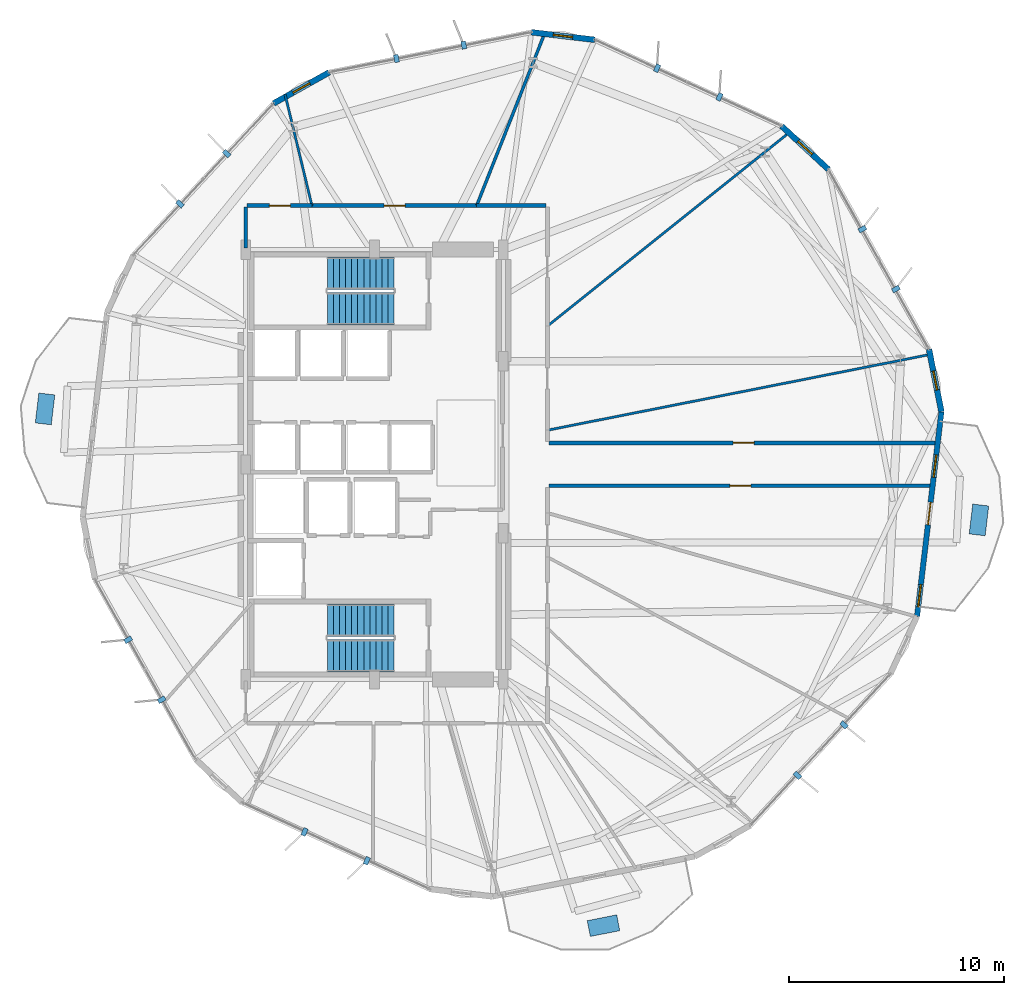
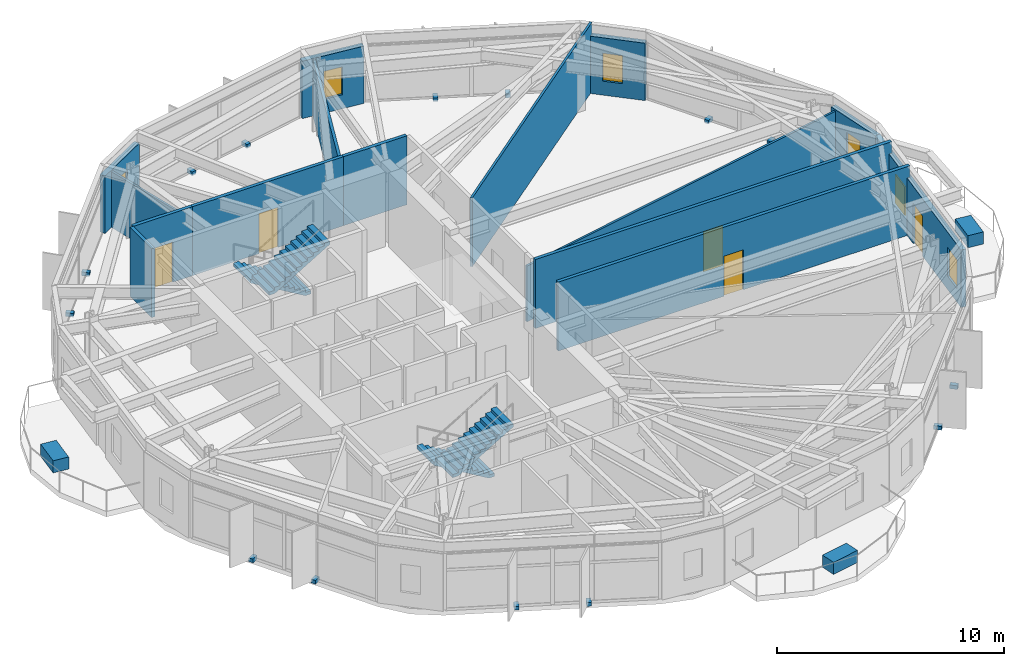
# One storey, part 19 of 22: 17 discrete accessories, 15 walls, 6 windows, 5 doors, 4 stair flights, 11 openings, 2 elements without a shape of their own.
"""IFC4 building model written with IfcOpenShell, lengths in metres."""

from ifc_helpers import new_model, si_unit, direction, frame, frame_2d, origin, origin_2d, place, context, subcontext, project, spatial, polyline, rectangle, outline, extrude, material, layer, layer_set, type_object, element, fill, aggregate, save


model = new_model("IFC4")

# Units and contexts
model_context = context("Model", 3, precision=1e-05, world=origin(), true_north=direction((0.0, 1.0)))
body_context = subcontext(model_context, "Body", "Model", "MODEL_VIEW")
ifc_project = project(units=[si_unit("LENGTHUNIT", "METRE"), si_unit("AREAUNIT", "SQUARE_METRE"), si_unit("VOLUMEUNIT", "CUBIC_METRE"), si_unit("PLANEANGLEUNIT", "RADIAN"), si_unit("MASSUNIT", "GRAM", prefix="KILO")], contexts=[model_context])

# Site, building, storey
site_placement = place(None, origin())
site = spatial("IfcSite", under=ifc_project, at=site_placement, CompositionType="ELEMENT")
building_placement = place(site_placement, origin())
building = spatial("IfcBuilding", under=site, at=building_placement, Name="Soratama Intermodal Tower", CompositionType="ELEMENT")
storey_placement = place(building_placement, frame((0.0, 0.0, 70.60009765625)))
storey = spatial("IfcBuildingStorey", under=building, at=storey_placement, Name="L16", CompositionType="ELEMENT", Elevation=70.60009765625)

# Wall, openings, door, windows
ifc_material_1 = material(Name="Concrete f'c 42 MPa", Category="concrete")
ifc_layer_1 = layer(ifc_material_1, 0.25)
ifc_layer_set_1 = layer_set([ifc_layer_1], Name="Concrete f'c 42 MPa")
wall_type_1 = type_object("IfcWallType", Name="EW-BAL-250", PredefinedType="SOLIDWALL", material=ifc_layer_set_1)
wall_1_placement = place(storey_placement, frame((63.854248046875, 17.9296875, 0.0), z_axis=(0.0, 0.0, 1.0), x_axis=(0.118050916003, 0.993007543391, 0.0)))
wall_1 = element("IfcWall", 1, at=wall_1_placement, inside=storey, type_object=wall_type_1, Name="L16 Terrace Wall F10", PredefinedType="SOLIDWALL", context=body_context, shape_type="SweptSolid", body=[
    extrude(rectangle(XDim=9.58984375, YDim=0.25, at=frame_2d((4.794921875, 0.0))), origin(), (0.0, 0.0, 1.0), 3.078857421875),
])
opening_1_placement = place(wall_1_placement, frame((4.294921875, 0.0, 0.0)))
opening_1 = element("IfcOpeningElement", 2, at=opening_1_placement, cuts=wall_1, Name="Opening ED-5", PredefinedType="OPENING", context=body_context, shape_type="SweptSolid", body=[
    extrude(rectangle(XDim=1.050048828125, YDim=2.14990234375, at=frame_2d((0.52490234375, 1.074951171875))), frame((0.0, 0.135009765625, 0.0), z_axis=(0.0, -1.0, 0.0), x_axis=(1.0, 0.0, 0.0)), (0.0, 0.0, 1.0), 0.27001953125),
])
opening_2_placement = place(wall_1_placement, frame((0.43994140625, 0.0, 0.719970703125)))
opening_2 = element("IfcOpeningElement", 3, at=opening_2_placement, cuts=wall_1, Name="Opening WN-5", PredefinedType="OPENING", context=body_context, shape_type="SweptSolid", body=[
    extrude(rectangle(XDim=1.050048828125, YDim=1.550048828125, at=frame_2d((0.52490234375, 0.77490234375))), frame((0.0, 0.135009765625, 0.0), z_axis=(0.0, -1.0, 0.0), x_axis=(1.0, 0.0, 0.0)), (0.0, 0.0, 1.0), 0.27001953125),
])
opening_3_placement = place(wall_1_placement, frame((6.513671875, 0.0, 0.719970703125)))
opening_3 = element("IfcOpeningElement", 4, at=opening_3_placement, cuts=wall_1, Name="Opening WN-5", PredefinedType="OPENING", context=body_context, shape_type="SweptSolid", body=[
    extrude(rectangle(XDim=1.050048828125, YDim=1.550048828125, at=frame_2d((0.52490234375, 0.77490234375))), frame((0.0, 0.135009765625, 0.0), z_axis=(0.0, -1.0, 0.0), x_axis=(1.0, 0.0, 0.0)), (0.0, 0.0, 1.0), 0.27001953125),
])
ifc_material_2 = material(Name="Double-glazed aluminium door", Category="aluminium")
door_type_1 = type_object("IfcDoorType", Name="DR-BAL-1050", OperationType="NOTDEFINED", PredefinedType="DOOR", material=ifc_material_2)
door_1_placement = place(opening_1_placement, origin())
door_1 = element("IfcDoor", 5, at=door_1_placement, inside=storey, type_object=door_type_1, Name="L16 Balcony Door F10", OperationType="SINGLE_SWING_RIGHT", OverallHeight=2.14990234375, OverallWidth=1.050048828125, PredefinedType="DOOR", context=body_context, shape_type="SweptSolid", body=[
    extrude(rectangle(XDim=1.050048828125, YDim=2.14990234375, at=frame_2d((0.52490234375, 1.074951171875))), frame((0.0, 0.02490234375, 0.0), z_axis=(0.0, -1.0, 0.0), x_axis=(1.0, 0.0, 0.0)), (0.0, 0.0, 1.0), 0.050048828125),
])
fill(opening_1, door_1)
ifc_material_3 = material(Name="Double-glazed aluminium window", Category="aluminium")
window_type_1 = type_object("IfcWindowType", Name="WN-FAC-1050", PartitioningType="SINGLE_PANEL", PredefinedType="WINDOW", material=ifc_material_3)
window_1_placement = place(opening_2_placement, origin())
window_1 = element("IfcWindow", 6, at=window_1_placement, inside=storey, type_object=window_type_1, Name="L16 Window A F10", OverallHeight=1.550048828125, OverallWidth=1.050048828125, PartitioningType="SINGLE_PANEL", PredefinedType="WINDOW", context=body_context, shape_type="SweptSolid", body=[
    extrude(rectangle(XDim=1.050048828125, YDim=1.550048828125, at=frame_2d((0.52490234375, 0.77490234375))), frame((0.0, 0.030029296875, 0.0), z_axis=(0.0, -1.0, 0.0), x_axis=(1.0, 0.0, 0.0)), (0.0, 0.0, 1.0), 0.06005859375),
])
fill(opening_2, window_1)
window_2_placement = place(opening_3_placement, origin())
window_2 = element("IfcWindow", 7, at=window_2_placement, inside=storey, type_object=window_type_1, Name="L16 Window B F10", OverallHeight=1.550048828125, OverallWidth=1.050048828125, PartitioningType="SINGLE_PANEL", PredefinedType="WINDOW", context=body_context, shape_type="SweptSolid", body=[
    extrude(rectangle(XDim=1.050048828125, YDim=1.550048828125, at=frame_2d((0.52490234375, 0.77490234375))), frame((0.0, 0.030029296875, 0.0), z_axis=(0.0, -1.0, 0.0), x_axis=(1.0, 0.0, 0.0)), (0.0, 0.0, 1.0), 0.06005859375),
])
fill(opening_3, window_2)

# Wall, opening, window
ifc_material_4 = material(Name="Concrete f'c 42 MPa", Category="concrete")
ifc_layer_2 = layer(ifc_material_4, 0.27001953125)
ifc_layer_set_2 = layer_set([ifc_layer_2], Name="Concrete f'c 42 MPa")
wall_type_2 = type_object("IfcWallType", Name="EW-CRN-270", PredefinedType="SOLIDWALL", material=ifc_layer_set_2)
wall_2_placement = place(storey_placement, frame((59.727783203125, 38.731689453125, 0.0), z_axis=(0.0, 0.0, 1.0), x_axis=(-0.733979438108, 0.679171689954, 0.0)))
wall_2 = element("IfcWall", 8, at=wall_2_placement, inside=storey, type_object=wall_type_2, Name="L16 Corner Closure Wall 01", PredefinedType="SOLIDWALL", context=body_context, shape_type="SweptSolid", body=[
    extrude(rectangle(XDim=2.966796875, YDim=0.27001953125, at=frame_2d((1.4833984375, 0.0))), origin(), (0.0, 0.0, 1.0), 3.078857421875),
])
opening_4_placement = place(wall_2_placement, frame((1.033203125, 0.0, 0.75)))
opening_4 = element("IfcOpeningElement", 9, at=opening_4_placement, cuts=wall_2, Name="Opening WN-6", PredefinedType="OPENING", context=body_context, shape_type="SweptSolid", body=[
    extrude(rectangle(XDim=0.89990234375, YDim=1.5, at=frame_2d((0.449951171875, 0.75))), frame((0.0, 0.14501953125, 0.0), z_axis=(0.0, -1.0, 0.0), x_axis=(1.0, 0.0, 0.0)), (0.0, 0.0, 1.0), 0.2900390625),
])
ifc_material_5 = material(Name="Double-glazed aluminium window", Category="aluminium")
window_type_2 = type_object("IfcWindowType", Name="WN-FAC-900", PartitioningType="SINGLE_PANEL", PredefinedType="WINDOW", material=ifc_material_5)
window_3_placement = place(opening_4_placement, origin())
window_3 = element("IfcWindow", 10, at=window_3_placement, inside=storey, type_object=window_type_2, Name="L16 Corner Window 01", OverallHeight=1.5, OverallWidth=0.89990234375, PartitioningType="SINGLE_PANEL", PredefinedType="WINDOW", context=body_context, shape_type="SweptSolid", body=[
    extrude(rectangle(XDim=0.89990234375, YDim=1.5, at=frame_2d((0.449951171875, 0.75))), frame((0.0, 0.030029296875, 0.0), z_axis=(0.0, -1.0, 0.0), x_axis=(1.0, 0.0, 0.0)), (0.0, 0.0, 1.0), 0.06005859375),
])
fill(opening_4, window_3)

wall_3_placement = place(storey_placement, frame((48.84375, 44.76611328125, 0.0), z_axis=(0.0, 0.0, 1.0), x_axis=(-0.993011715875, 0.118015813075, 0.0)))
wall_3 = element("IfcWall", 11, at=wall_3_placement, inside=storey, type_object=wall_type_2, Name="L16 Corner Closure Wall 02", PredefinedType="SOLIDWALL", context=body_context, shape_type="SweptSolid", body=[
    extrude(rectangle(XDim=2.966552734375, YDim=0.27001953125, at=frame_2d((1.4833984375, 0.0))), origin(), (0.0, 0.0, 1.0), 3.078857421875),
])
opening_5_placement = place(wall_3_placement, frame((1.033203125, 0.0, 0.75)))
opening_5 = element("IfcOpeningElement", 12, at=opening_5_placement, cuts=wall_3, Name="Opening WN-6", PredefinedType="OPENING", context=body_context, shape_type="SweptSolid", body=[
    extrude(rectangle(XDim=0.89990234375, YDim=1.5, at=frame_2d((0.449951171875, 0.75))), frame((0.0, 0.14501953125, 0.0), z_axis=(0.0, -1.0, 0.0), x_axis=(1.0, 0.0, 0.0)), (0.0, 0.0, 1.0), 0.2900390625),
])
window_4_placement = place(opening_5_placement, origin())
window_4 = element("IfcWindow", 13, at=window_4_placement, inside=storey, type_object=window_type_2, Name="L16 Corner Window 02", OverallHeight=1.5, OverallWidth=0.89990234375, PartitioningType="SINGLE_PANEL", PredefinedType="WINDOW", context=body_context, shape_type="SweptSolid", body=[
    extrude(rectangle(XDim=0.89990234375, YDim=1.5, at=frame_2d((0.449951171875, 0.75))), frame((0.0, 0.030029296875, 0.0), z_axis=(0.0, -1.0, 0.0), x_axis=(1.0, 0.0, 0.0)), (0.0, 0.0, 1.0), 0.06005859375),
])
fill(opening_5, window_4)

wall_4_placement = place(storey_placement, frame((36.491455078125, 43.250244140625, 0.0), z_axis=(0.0, 0.0, 1.0), x_axis=(-0.872744478874, -0.48817729832, 0.0)))
wall_4 = element("IfcWall", 14, at=wall_4_placement, inside=storey, type_object=wall_type_2, Name="L16 Corner Closure Wall 03", PredefinedType="SOLIDWALL", context=body_context, shape_type="SweptSolid", body=[
    extrude(rectangle(XDim=2.966552734375, YDim=0.27001953125, at=frame_2d((1.4833984375, 0.0))), origin(), (0.0, 0.0, 1.0), 3.078857421875),
])
opening_6_placement = place(wall_4_placement, frame((1.033203125, 0.0, 0.75)))
opening_6 = element("IfcOpeningElement", 15, at=opening_6_placement, cuts=wall_4, Name="Opening WN-6", PredefinedType="OPENING", context=body_context, shape_type="SweptSolid", body=[
    extrude(rectangle(XDim=0.89990234375, YDim=1.5, at=frame_2d((0.449951171875, 0.75))), frame((0.0, 0.14501953125, 0.0), z_axis=(0.0, -1.0, 0.0), x_axis=(1.0, 0.0, 0.0)), (0.0, 0.0, 1.0), 0.2900390625),
])
window_5_placement = place(opening_6_placement, origin())
window_5 = element("IfcWindow", 16, at=window_5_placement, inside=storey, type_object=window_type_2, Name="L16 Corner Window 03", OverallHeight=1.5, OverallWidth=0.89990234375, PartitioningType="SINGLE_PANEL", PredefinedType="WINDOW", context=body_context, shape_type="SweptSolid", body=[
    extrude(rectangle(XDim=0.89990234375, YDim=1.5, at=frame_2d((0.449951171875, 0.75))), frame((0.0, 0.030029296875, 0.0), z_axis=(0.0, -1.0, 0.0), x_axis=(1.0, 0.0, 0.0)), (0.0, 0.0, 1.0), 0.06005859375),
])
fill(opening_6, window_5)

wall_5_placement = place(storey_placement, frame((64.986328125, 27.452392578125, 0.0), z_axis=(0.0, 0.0, 1.0), x_axis=(-0.194549084762, 0.980892783957, 0.0)))
wall_5 = element("IfcWall", 17, at=wall_5_placement, inside=storey, type_object=wall_type_2, Name="L16 Corner Closure Wall 10", PredefinedType="SOLIDWALL", context=body_context, shape_type="SweptSolid", body=[
    extrude(rectangle(XDim=2.966552734375, YDim=0.27001953125, at=frame_2d((1.4833984375, 0.0))), origin(), (0.0, 0.0, 1.0), 3.078857421875),
])
opening_7_placement = place(wall_5_placement, frame((1.033203125, 0.0, 0.75)))
opening_7 = element("IfcOpeningElement", 18, at=opening_7_placement, cuts=wall_5, Name="Opening WN-6", PredefinedType="OPENING", context=body_context, shape_type="SweptSolid", body=[
    extrude(rectangle(XDim=0.89990234375, YDim=1.5, at=frame_2d((0.449951171875, 0.75))), frame((0.0, 0.14501953125, 0.0), z_axis=(0.0, -1.0, 0.0), x_axis=(1.0, 0.0, 0.0)), (0.0, 0.0, 1.0), 0.2900390625),
])
window_6_placement = place(opening_7_placement, origin())
window_6 = element("IfcWindow", 19, at=window_6_placement, inside=storey, type_object=window_type_2, Name="L16 Corner Window 10", OverallHeight=1.5, OverallWidth=0.89990234375, PartitioningType="SINGLE_PANEL", PredefinedType="WINDOW", context=body_context, shape_type="SweptSolid", body=[
    extrude(rectangle(XDim=0.89990234375, YDim=1.5, at=frame_2d((0.449951171875, 0.75))), frame((0.0, 0.030029296875, 0.0), z_axis=(0.0, -1.0, 0.0), x_axis=(1.0, 0.0, 0.0)), (0.0, 0.0, 1.0), 0.06005859375),
])
fill(opening_7, window_6)

# Wall, opening, door
ifc_material_6 = material(Name="Fire-rated gypsum stud partition", Category="concrete")
ifc_layer_3 = layer(ifc_material_6, 0.169921875)
ifc_layer_set_3 = layer_set([ifc_layer_3], Name="Fire-rated gypsum stud partition")
wall_type_3 = type_object("IfcWallType", Name="IW-PART-R170", PredefinedType="PARTITIONING", material=ifc_layer_set_3)
wall_6_placement = place(storey_placement, frame((46.719970703125, 26.0, 0.0), z_axis=(0.0, 0.0, 1.0), x_axis=(1.0, 0.0, 0.0)))
wall_6 = element("IfcWall", 20, at=wall_6_placement, inside=storey, type_object=wall_type_3, Name="L16 Partition W-L16-TP002", PredefinedType="PARTITIONING", context=body_context, shape_type="SweptSolid", body=[
    extrude(rectangle(XDim=18.093994140625, YDim=0.169921875, at=frame_2d((9.046875, 0.0))), origin(), (0.0, 0.0, 1.0), 3.699951171875),
])
opening_8_placement = place(wall_6_placement, frame((8.572021484375, 0.0, 0.0)))
opening_8 = element("IfcOpeningElement", 21, at=opening_8_placement, cuts=wall_6, Name="Opening ID-5", PredefinedType="OPENING", context=body_context, shape_type="SweptSolid", body=[
    extrude(rectangle(XDim=0.97998046875, YDim=2.14990234375, at=frame_2d((0.489990234375, 1.074951171875))), frame((0.0, 0.094970703125, 0.0), z_axis=(0.0, -1.0, 0.0), x_axis=(1.0, 0.0, 0.0)), (0.0, 0.0, 1.0), 0.18994140625),
])
ifc_material_7 = material(Name="Solid hardwood acoustic door", Category="wood")
door_type_2 = type_object("IfcDoorType", Name="DR-OFF-980", OperationType="NOTDEFINED", PredefinedType="DOOR", material=ifc_material_7)
door_2_placement = place(opening_8_placement, origin())
door_2 = element("IfcDoor", 22, at=door_2_placement, inside=storey, type_object=door_type_2, Name="L16 Door D-L16-TP001", OperationType="SINGLE_SWING_RIGHT", OverallHeight=2.14990234375, OverallWidth=0.97998046875, PredefinedType="DOOR", context=body_context, shape_type="SweptSolid", body=[
    extrude(rectangle(XDim=0.97998046875, YDim=2.14990234375, at=frame_2d((0.489990234375, 1.074951171875))), frame((0.0, 0.02490234375, 0.0), z_axis=(0.0, -1.0, 0.0), x_axis=(1.0, 0.0, 0.0)), (0.0, 0.0, 1.0), 0.050048828125),
])
fill(opening_8, door_2)

wall_7_placement = place(storey_placement, frame((64.575927734375, 24.0, 0.0), z_axis=(0.0, 0.0, 1.0), x_axis=(-1.0, 0.0, 0.0)))
wall_7 = element("IfcWall", 23, at=wall_7_placement, inside=storey, type_object=wall_type_3, Name="L16 Partition W-L16-TP004", PredefinedType="PARTITIONING", context=body_context, shape_type="SweptSolid", body=[
    extrude(rectangle(XDim=17.85595703125, YDim=0.169921875, at=frame_2d((8.927978515625, 0.0))), origin(), (0.0, 0.0, 1.0), 3.699951171875),
])
opening_9_placement = place(wall_7_placement, frame((8.452880859375, 0.0, 0.0)))
opening_9 = element("IfcOpeningElement", 24, at=opening_9_placement, cuts=wall_7, Name="Opening ID-5", PredefinedType="OPENING", context=body_context, shape_type="SweptSolid", body=[
    extrude(rectangle(XDim=0.97998046875, YDim=2.14990234375, at=frame_2d((0.489990234375, 1.074951171875))), frame((0.0, 0.094970703125, 0.0), z_axis=(0.0, -1.0, 0.0), x_axis=(1.0, 0.0, 0.0)), (0.0, 0.0, 1.0), 0.18994140625),
])
door_3_placement = place(opening_9_placement, origin())
door_3 = element("IfcDoor", 25, at=door_3_placement, inside=storey, type_object=door_type_2, Name="L16 Door D-L16-TP002", OperationType="SINGLE_SWING_LEFT", OverallHeight=2.14990234375, OverallWidth=0.97998046875, PredefinedType="DOOR", context=body_context, shape_type="SweptSolid", body=[
    extrude(rectangle(XDim=0.97998046875, YDim=2.14990234375, at=frame_2d((0.489990234375, 1.074951171875))), frame((0.0, 0.02490234375, 0.0), z_axis=(0.0, -1.0, 0.0), x_axis=(1.0, 0.0, 0.0)), (0.0, 0.0, 1.0), 0.050048828125),
])
fill(opening_9, door_3)

wall_8_placement = place(storey_placement, frame((35.68701171875, 37.050048828125, 0.0), z_axis=(0.0, 0.0, 1.0), x_axis=(1.0, 0.0, 0.0)))
wall_8 = element("IfcWall", 26, at=wall_8_placement, inside=storey, type_object=wall_type_3, Name="L16 Partition W-L16-TP011", PredefinedType="PARTITIONING", context=body_context, shape_type="SweptSolid", body=[
    extrude(rectangle(XDim=7.669921875, YDim=0.169921875, at=frame_2d((3.8349609375, 0.0))), origin(), (0.0, 0.0, 1.0), 3.699951171875),
])
opening_10_placement = place(wall_8_placement, frame((3.360107421875, 0.0, 0.0)))
opening_10 = element("IfcOpeningElement", 27, at=opening_10_placement, cuts=wall_8, Name="Opening ID-5", PredefinedType="OPENING", context=body_context, shape_type="SweptSolid", body=[
    extrude(rectangle(XDim=0.97998046875, YDim=2.14990234375, at=frame_2d((0.489990234375, 1.074951171875))), frame((0.0, 0.094970703125, 0.0), z_axis=(0.0, -1.0, 0.0), x_axis=(1.0, 0.0, 0.0)), (0.0, 0.0, 1.0), 0.18994140625),
])
door_4_placement = place(opening_10_placement, origin())
door_4 = element("IfcDoor", 28, at=door_4_placement, inside=storey, type_object=door_type_2, Name="L16 Door D-L16-TP003", OperationType="SINGLE_SWING_RIGHT", OverallHeight=2.14990234375, OverallWidth=0.97998046875, PredefinedType="DOOR", context=body_context, shape_type="SweptSolid", body=[
    extrude(rectangle(XDim=0.97998046875, YDim=2.14990234375, at=frame_2d((0.489990234375, 1.074951171875))), frame((0.0, 0.02490234375, 0.0), z_axis=(0.0, -1.0, 0.0), x_axis=(1.0, 0.0, 0.0)), (0.0, 0.0, 1.0), 0.050048828125),
])
fill(opening_10, door_4)

# Wall
wall_9_placement = place(storey_placement, frame((43.35693359375, 37.050048828125, 0.0), z_axis=(0.0, 0.0, 1.0), x_axis=(1.0, 0.0, 0.0)))
element("IfcWall", 29, at=wall_9_placement, inside=storey, type_object=wall_type_3, Name="L16 Partition W-L16-TP025", PredefinedType="PARTITIONING", context=body_context, shape_type="SweptSolid", body=[
    extrude(rectangle(XDim=3.22314453125, YDim=0.169921875, at=frame_2d((1.611572265625, 0.0))), origin(), (0.0, 0.0, 1.0), 3.699951171875),
])

# Wall, opening, door
wall_10_placement = place(storey_placement, frame((32.669921875, 37.050048828125, 0.0), z_axis=(0.0, 0.0, 1.0), x_axis=(1.0, 0.0, 0.0)))
wall_10 = element("IfcWall", 30, at=wall_10_placement, inside=storey, type_object=wall_type_3, Name="L16 Partition W-L16-TP026", PredefinedType="PARTITIONING", context=body_context, shape_type="SweptSolid", body=[
    extrude(rectangle(XDim=3.01708984375, YDim=0.169921875, at=frame_2d((1.508544921875, 0.0))), origin(), (0.0, 0.0, 1.0), 3.699951171875),
])
opening_11_placement = place(wall_10_placement, frame((1.032958984375, 0.0, 0.0)))
opening_11 = element("IfcOpeningElement", 31, at=opening_11_placement, cuts=wall_10, Name="Opening ID-5", PredefinedType="OPENING", context=body_context, shape_type="SweptSolid", body=[
    extrude(rectangle(XDim=0.97998046875, YDim=2.14990234375, at=frame_2d((0.489990234375, 1.074951171875))), frame((0.0, 0.094970703125, 0.0), z_axis=(0.0, -1.0, 0.0), x_axis=(1.0, 0.0, 0.0)), (0.0, 0.0, 1.0), 0.18994140625),
])
door_5_placement = place(opening_11_placement, origin())
door_5 = element("IfcDoor", 32, at=door_5_placement, inside=storey, type_object=door_type_2, Name="L16 Door D-L16-TP013", OperationType="SINGLE_SWING_RIGHT", OverallHeight=2.14990234375, OverallWidth=0.97998046875, PredefinedType="DOOR", context=body_context, shape_type="SweptSolid", body=[
    extrude(rectangle(XDim=0.97998046875, YDim=2.14990234375, at=frame_2d((0.489990234375, 1.074951171875))), frame((0.0, 0.02490234375, 0.0), z_axis=(0.0, -1.0, 0.0), x_axis=(1.0, 0.0, 0.0)), (0.0, 0.0, 1.0), 0.050048828125),
])
fill(opening_11, door_5)

# Walls
wall_11_placement = place(storey_placement, frame((32.60009765625, 35.070068359375, 0.0), z_axis=(0.0, 0.0, 1.0), x_axis=(0.0, 1.0, 0.0)))
element("IfcWall", 33, at=wall_11_placement, inside=storey, type_object=wall_type_3, Name="L16 Partition W-L16-TP029", PredefinedType="PARTITIONING", context=body_context, shape_type="SweptSolid", body=[
    extrude(rectangle(XDim=1.909912109375, YDim=0.169921875, at=frame_2d((0.955078125, 0.0))), origin(), (0.0, 0.0, 1.0), 3.699951171875),
])
ifc_material_8 = material(Name="Fire-rated gypsum stud partition", Category="concrete")
ifc_layer_4 = layer(ifc_material_8, 0.110107421875)
ifc_layer_set_4 = layer_set([ifc_layer_4], Name="Fire-rated gypsum stud partition")
wall_type_4 = type_object("IfcWallType", Name="IW-PART-S110", PredefinedType="PARTITIONING", material=ifc_layer_set_4)
wall_12_placement = place(storey_placement, frame((46.64990234375, 26.593017578125, 0.0), z_axis=(0.0, 0.0, 1.0), x_axis=(0.980972522901, 0.194146618085, 0.0)))
element("IfcWall", 34, at=wall_12_placement, inside=storey, type_object=wall_type_4, Name="L16 Partition W-L16-TP001", PredefinedType="PARTITIONING", context=body_context, shape_type="SweptSolid", body=[
    extrude(rectangle(XDim=18.1923828125, YDim=0.110107421875, at=frame_2d((9.09619140625, 0.0))), origin(), (0.0, 0.0, 1.0), 2.994873046875),
])
wall_13_placement = place(storey_placement, frame((46.64990234375, 31.44189453125, 0.0), z_axis=(0.0, 0.0, 1.0), x_axis=(0.780822711773, 0.624752665284, 0.0)))
element("IfcWall", 35, at=wall_13_placement, inside=storey, type_object=wall_type_4, Name="L16 Partition W-L16-TP006", PredefinedType="PARTITIONING", context=body_context, shape_type="SweptSolid", body=[
    extrude(rectangle(XDim=14.46826171875, YDim=0.110107421875, at=frame_2d((7.234130859375, 0.0))), origin(), (0.0, 0.0, 1.0), 3.699951171875),
])
wall_14_placement = place(storey_placement, frame((35.68701171875, 37.050048828125, 0.0), z_axis=(0.0, 0.0, 1.0), x_axis=(-0.235059048373, 0.971981092295, 0.0)))
element("IfcWall", 36, at=wall_14_placement, inside=storey, type_object=wall_type_4, Name="L16 Partition W-L16-TP016", PredefinedType="PARTITIONING", context=body_context, shape_type="SweptSolid", body=[
    extrude(rectangle(XDim=5.322021484375, YDim=0.110107421875, at=frame_2d((2.6611328125, 0.0))), origin(), (0.0, 0.0, 1.0), 2.994873046875),
])
ifc_material_9 = material(Name="Fire-rated gypsum stud partition", Category="concrete")
ifc_layer_5 = layer(ifc_material_9, 0.139892578125)
ifc_layer_set_5 = layer_set([ifc_layer_5], Name="Fire-rated gypsum stud partition")
wall_type_5 = type_object("IfcWallType", Name="IW-PART-S140", PredefinedType="PARTITIONING", material=ifc_layer_set_5)
wall_15_placement = place(storey_placement, frame((43.35693359375, 37.050048828125, 0.0), z_axis=(0.0, 0.0, 1.0), x_axis=(0.36715311674, 0.930160517797, 0.0)))
element("IfcWall", 37, at=wall_15_placement, inside=storey, type_object=wall_type_5, Name="L16 Partition W-L16-TP008", PredefinedType="PARTITIONING", context=body_context, shape_type="SweptSolid", body=[
    extrude(rectangle(XDim=8.69970703125, YDim=0.139892578125, at=frame_2d((4.349853515625, 0.0))), origin(), (0.0, 0.0, 1.0), 2.994873046875),
])

# Stair, stair flights
ifc_material_10 = material(Name="Concrete f'c 42 MPa", Category="concrete")
stair_type = type_object("IfcStairType", Name="ST-CORE-DOGLEG", PredefinedType="HALF_TURN_STAIR", material=ifc_material_10)
stair_1_placement = place(storey_placement, origin())
stair_1 = element("IfcStair", 38, at=stair_1_placement, inside=storey, type_object=stair_type, Name="L16 ST-1", PredefinedType="HALF_TURN_STAIR")
ifc_material_11 = material(Name="Precast concrete f'c 40 MPa", Category="concrete")
ifc_layer_6 = layer(ifc_material_11, 0.199951171875)
ifc_layer_set_6 = layer_set([ifc_layer_6], Name="Precast concrete f'c 40 MPa")
stair_flight_type = type_object("IfcStairFlightType", Name="SF-FLIGHT-RC", PredefinedType="STRAIGHT", material=ifc_layer_set_6)
stair_flight_1_placement = place(storey_placement, frame((39.5, 17.75, 0.0), z_axis=(0.0, 0.0, 1.0), x_axis=(-1.0, 0.0, 0.0)))
stair_flight_1 = element("IfcStairFlight", 39, at=stair_flight_1_placement, type_object=stair_flight_type, Name="ST-1 flight 1", NumberOfRisers=12, NumberOfTreads=11, PredefinedType="STRAIGHT", RiserHeight=0.166666667, TreadLength=0.28, context=body_context, shape_type="SweptSolid", body=[
    extrude(outline(polyline([(0.0, 0.0), (0.0, 0.166748046875), (0.280029296875, 0.166748046875), (0.280029296875, 0.333251953125), (0.56005859375, 0.333251953125), (0.56005859375, 0.5), (0.840087890625, 0.5), (0.840087890625, 0.666748046875), (1.1201171875, 0.666748046875), (1.1201171875, 0.833251953125), (1.39990234375, 0.833251953125), (1.39990234375, 1.0), (1.679931640625, 1.0), (1.679931640625, 1.166748046875), (1.9599609375, 1.166748046875), (1.9599609375, 1.333251953125), (2.239990234375, 1.333251953125), (2.239990234375, 1.5), (2.52001953125, 1.5), (2.52001953125, 1.666748046875), (2.800048828125, 1.666748046875), (2.800048828125, 1.833251953125), (3.080078125, 1.833251953125), (3.080078125, 2.0), (3.080078125, 1.658935546875), (0.29296875, 0.0), (0.0, 0.0)])), frame((0.0, 0.75, 0.0), z_axis=(0.0, -1.0, 0.0), x_axis=(1.0, 0.0, 0.0)), (0.0, 0.0, 1.0), 1.5),
])
stair_flight_2_placement = place(storey_placement, frame((36.419921875, 16.10009765625, 2.0), z_axis=(0.0, 0.0, 1.0), x_axis=(1.0, 0.0, 0.0)))
stair_flight_2 = element("IfcStairFlight", 40, at=stair_flight_2_placement, type_object=stair_flight_type, Name="ST-1 flight 2", NumberOfRisers=12, NumberOfTreads=11, PredefinedType="STRAIGHT", RiserHeight=0.166666667, TreadLength=0.28, context=body_context, shape_type="SweptSolid", body=[
    extrude(outline(polyline([(0.0, 0.0), (0.0, 0.166748046875), (0.280029296875, 0.166748046875), (0.280029296875, 0.333251953125), (0.56005859375, 0.333251953125), (0.56005859375, 0.5), (0.840087890625, 0.5), (0.840087890625, 0.666748046875), (1.1201171875, 0.666748046875), (1.1201171875, 0.833251953125), (1.39990234375, 0.833251953125), (1.39990234375, 1.0), (1.679931640625, 1.0), (1.679931640625, 1.166748046875), (1.9599609375, 1.166748046875), (1.9599609375, 1.333251953125), (2.239990234375, 1.333251953125), (2.239990234375, 1.5), (2.52001953125, 1.5), (2.52001953125, 1.666748046875), (2.800048828125, 1.666748046875), (2.800048828125, 1.833251953125), (3.080078125, 1.833251953125), (3.080078125, 2.0), (3.080078125, 1.658935546875), (0.29296875, 0.0), (0.0, 0.0)])), frame((0.0, 0.75, 0.0), z_axis=(0.0, -1.0, 0.0), x_axis=(1.0, 0.0, 0.0)), (0.0, 0.0, 1.0), 1.5),
])
aggregate(stair_1, [stair_flight_1, stair_flight_2])

stair_2_placement = place(storey_placement, origin())
stair_2 = element("IfcStair", 41, at=stair_2_placement, inside=storey, type_object=stair_type, Name="L16 ST-2", PredefinedType="HALF_TURN_STAIR")
stair_flight_3_placement = place(storey_placement, frame((39.5, 33.89990234375, 0.0), z_axis=(0.0, 0.0, 1.0), x_axis=(-1.0, 0.0, 0.0)))
stair_flight_3 = element("IfcStairFlight", 42, at=stair_flight_3_placement, type_object=stair_flight_type, Name="ST-2 flight 1", NumberOfRisers=12, NumberOfTreads=11, PredefinedType="STRAIGHT", RiserHeight=0.166666667, TreadLength=0.28, context=body_context, shape_type="SweptSolid", body=[
    extrude(outline(polyline([(0.0, 0.0), (0.0, 0.166748046875), (0.280029296875, 0.166748046875), (0.280029296875, 0.333251953125), (0.56005859375, 0.333251953125), (0.56005859375, 0.5), (0.840087890625, 0.5), (0.840087890625, 0.666748046875), (1.1201171875, 0.666748046875), (1.1201171875, 0.833251953125), (1.39990234375, 0.833251953125), (1.39990234375, 1.0), (1.679931640625, 1.0), (1.679931640625, 1.166748046875), (1.9599609375, 1.166748046875), (1.9599609375, 1.333251953125), (2.239990234375, 1.333251953125), (2.239990234375, 1.5), (2.52001953125, 1.5), (2.52001953125, 1.666748046875), (2.800048828125, 1.666748046875), (2.800048828125, 1.833251953125), (3.080078125, 1.833251953125), (3.080078125, 2.0), (3.080078125, 1.658935546875), (0.29296875, 0.0), (0.0, 0.0)])), frame((0.0, 0.75, 0.0), z_axis=(0.0, -1.0, 0.0), x_axis=(1.0, 0.0, 0.0)), (0.0, 0.0, 1.0), 1.5),
])
stair_flight_4_placement = place(storey_placement, frame((36.419921875, 32.25, 2.0), z_axis=(0.0, 0.0, 1.0), x_axis=(1.0, 0.0, 0.0)))
stair_flight_4 = element("IfcStairFlight", 43, at=stair_flight_4_placement, type_object=stair_flight_type, Name="ST-2 flight 2", NumberOfRisers=12, NumberOfTreads=11, PredefinedType="STRAIGHT", RiserHeight=0.166666667, TreadLength=0.28, context=body_context, shape_type="SweptSolid", body=[
    extrude(outline(polyline([(0.0, 0.0), (0.0, 0.166748046875), (0.280029296875, 0.166748046875), (0.280029296875, 0.333251953125), (0.56005859375, 0.333251953125), (0.56005859375, 0.5), (0.840087890625, 0.5), (0.840087890625, 0.666748046875), (1.1201171875, 0.666748046875), (1.1201171875, 0.833251953125), (1.39990234375, 0.833251953125), (1.39990234375, 1.0), (1.679931640625, 1.0), (1.679931640625, 1.166748046875), (1.9599609375, 1.166748046875), (1.9599609375, 1.333251953125), (2.239990234375, 1.333251953125), (2.239990234375, 1.5), (2.52001953125, 1.5), (2.52001953125, 1.666748046875), (2.800048828125, 1.666748046875), (2.800048828125, 1.833251953125), (3.080078125, 1.833251953125), (3.080078125, 2.0), (3.080078125, 1.658935546875), (0.29296875, 0.0), (0.0, 0.0)])), frame((0.0, 0.75, 0.0), z_axis=(0.0, -1.0, 0.0), x_axis=(1.0, 0.0, 0.0)), (0.0, 0.0, 1.0), 1.5),
])
aggregate(stair_2, [stair_flight_3, stair_flight_4])

# Discrete accessories
ifc_material_12 = material(Name="Structural steel ASTM A992 Grade 50", Category="steel")
discrete_accessory_type_1 = type_object("IfcDiscreteAccessoryType", Name="AC-FIN-BRACKET", PredefinedType="BRACKET", material=ifc_material_12)
for number, where, z_axis, x_axis, name in (
    (44, (62.8662109375, 33.161865234375, -0.080078125), (0.0, 0.0, 1.0), (0.872751728945, 0.488164336698, 0.0), "L16 Fin Bracket F01-1"),
    (45, (61.3056640625, 35.95166015625, -0.080078125), (0.0, 0.0, 1.0), (0.872751728945, 0.488164336698, 0.0), "L16 Fin Bracket F01-2"),
    (46, (54.656494140625, 42.1044921875, -0.080078125), (0.0, 0.0, 1.0), (0.419135182781, 0.907923839623, 0.0), "L16 Fin Bracket F02-1"),
    (47, (51.75439453125, 43.4443359375, -0.080078125), (0.0, 0.0, 1.0), (0.419135182781, 0.907923839623, 0.0), "L16 Fin Bracket F02-2"),
    (48, (42.758544921875, 44.513916015625, -0.080078125), (0.0, 0.0, 1.0), (-0.194576757325, 0.980887295008, 0.0), "L16 Fin Bracket F03-1"),
    (49, (39.623046875, 43.891845703125, -0.080078125), (0.0, 0.0, 1.0), (-0.194576757325, 0.980887295008, 0.0), "L16 Fin Bracket F03-2"),
    (50, (31.716796875, 39.469482421875, -0.080078125), (0.0, 0.0, 1.0), (-0.733966989553, 0.679185142834, 0.0), "L16 Fin Bracket F04-1"),
    (51, (29.545654296875, 37.123291015625, -0.080078125), (0.0, 0.0, 1.0), (-0.733966989553, 0.679185142834, 0.0), "L16 Fin Bracket F04-2"),
    (52, (27.1337890625, 16.838134765625, -0.080078125), (0.0, 0.0, 1.0), (-0.872751728945, -0.488164336698, 0.0), "L16 Fin Bracket F06-1"),
    (53, (28.6943359375, 14.04833984375, -0.080078125), (0.0, 0.0, 1.0), (-0.872751728945, -0.488164336698, 0.0), "L16 Fin Bracket F06-2"),
    (54, (35.343505859375, 7.8955078125, -0.080078125), (0.0, 0.0, 1.0), (-0.419135182781, -0.907923839623, 0.0), "L16 Fin Bracket F07-1"),
    (55, (38.24560546875, 6.5556640625, -0.080078125), (0.0, 0.0, 1.0), (-0.419135182781, -0.907923839623, 0.0), "L16 Fin Bracket F07-2"),
    (56, (58.283203125, 10.530517578125, -0.080078125), (0.0, 0.0, 1.0), (0.733966989553, -0.679185142834, 0.0), "L16 Fin Bracket F09-1"),
    (57, (60.454345703125, 12.876708984375, -0.080078125), (0.0, 0.0, 1.0), (0.733966989553, -0.679185142834, 0.0), "L16 Fin Bracket F09-2"),
):
    element("IfcDiscreteAccessory", number, at=place(storey_placement, frame(where, z_axis=z_axis, x_axis=x_axis)), inside=storey, type_object=discrete_accessory_type_1, Name=name, PredefinedType="BRACKET", context=body_context, shape_type="SweptSolid", body=[
        extrude(rectangle(XDim=0.360107421875, YDim=0.219970703125, at=origin_2d()), origin(), (0.0, 0.0, 1.0), 0.199951171875),
    ])
ifc_material_13 = material(Name="Precast concrete f'c 40 MPa", Category="concrete")
discrete_accessory_type_2 = type_object("IfcDiscreteAccessoryType", Name="AC-PLANTER-TREE", PredefinedType="USERDEFINED", material=ifc_material_13)
for number, where, z_axis, x_axis, name in (
    (58, (66.73388671875, 22.416015625, 0.0), (0.0, 0.0, 1.0), (0.993006778393, -0.11805735075, 0.0), "L16 Tree Planter 1"),
    (59, (23.26611328125, 27.583984375, 0.0), (0.0, 0.0, 1.0), (-0.993006778393, 0.11805735075, 0.0), "L16 Tree Planter 2"),
    (60, (49.2587890625, 3.53125, 0.0), (0.0, 0.0, 1.0), (0.194576757325, -0.980887295008, 0.0), "L16 Tree Planter 3"),
):
    element("IfcDiscreteAccessory", number, at=place(storey_placement, frame(where, z_axis=z_axis, x_axis=x_axis)), inside=storey, type_object=discrete_accessory_type_2, Name=name, ObjectType="PLANTER", PredefinedType="USERDEFINED", context=body_context, shape_type="SweptSolid", body=[
        extrude(rectangle(XDim=0.75, YDim=1.39990234375, at=origin_2d()), origin(), (0.0, 0.0, 1.0), 0.64990234375),
    ])

save(model, "model.ifc")
